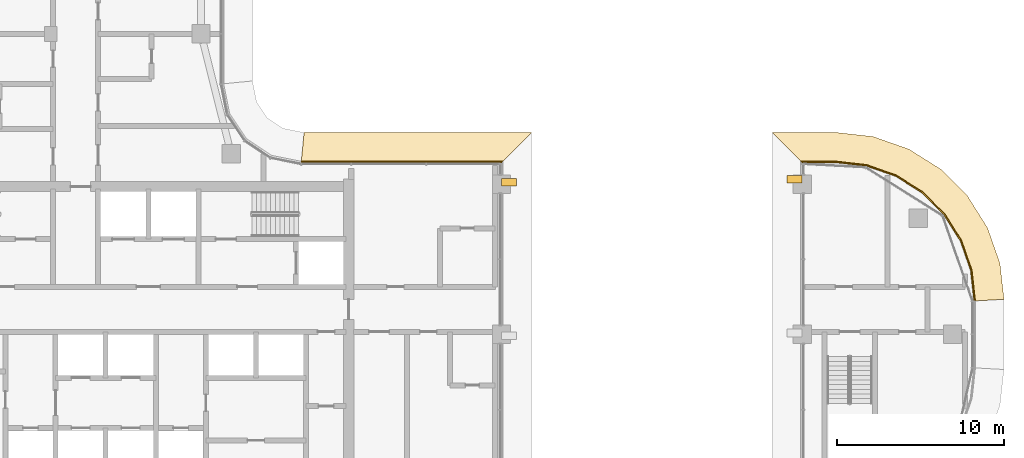
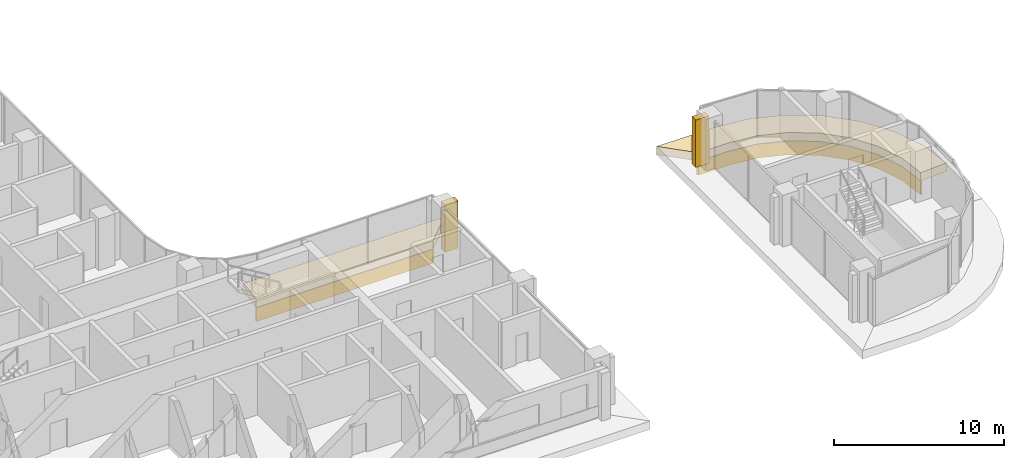
# One storey, part 25 of 27: 6 coverings.
"""IFC4 building model written with IfcOpenShell, lengths in metres."""

from ifc_helpers import new_model, si_unit, direction, frame, origin, origin_2d, place, context, subcontext, project, spatial, polyline, rectangle, outline, extrude, material, layer, layer_set, type_object, element, save


model = new_model("IFC4")

# Units and contexts
model_context = context("Model", 3, precision=1e-05, world=origin(), true_north=direction((0.0, 1.0)))
body_context = subcontext(model_context, "Body", "Model", "MODEL_VIEW")
ifc_project = project(units=[si_unit("LENGTHUNIT", "METRE"), si_unit("AREAUNIT", "SQUARE_METRE"), si_unit("VOLUMEUNIT", "CUBIC_METRE"), si_unit("PLANEANGLEUNIT", "RADIAN"), si_unit("MASSUNIT", "GRAM", prefix="KILO")], contexts=[model_context])

# Site, building, storey
site_placement = place(None, origin())
site = spatial("IfcSite", under=ifc_project, at=site_placement, CompositionType="ELEMENT")
building_placement = place(site_placement, origin())
building = spatial("IfcBuilding", under=site, at=building_placement, Name="Ogive Portal Towers", CompositionType="ELEMENT")
storey_placement = place(building_placement, frame((0.0, 0.0, 160.699951171875)))
storey = spatial("IfcBuildingStorey", under=building, at=storey_placement, Name="L39", CompositionType="ELEMENT", Elevation=160.699951171875)

# Coverings
ifc_material = material(Name="Limestone cladding on lightweight block wall", Category="masonry")
ifc_layer_1 = layer(ifc_material, 0.449951171875)
ifc_layer_set_1 = layer_set([ifc_layer_1], Name="BUTTRESS PIER STONE")
covering_type_1 = type_object("IfcCoveringType", Name="BUTTRESS PIER STONE", PredefinedType="CLADDING", material=ifc_layer_set_1)
for number, where, z_axis, x_axis, name in (
    (1, (67.949951171875, 39.625, 0.0), (0.0, 0.0, 1.0), (1.0, 0.0, 0.0), "Buttress pier A1-F06.3"),
    (2, (85.050048828125, 39.784912109375, 0.0), (0.0, 0.0, 1.0), (1.0, 0.0, 0.0), "Buttress pier A2-F01.2"),
):
    element("IfcCovering", number, at=place(storey_placement, frame(where, z_axis=z_axis, x_axis=x_axis)), inside=storey, type_object=covering_type_1, Name=name, PredefinedType="CLADDING", context=body_context, shape_type="SweptSolid", body=[
        extrude(rectangle(XDim=0.89990234375, YDim=0.449951171875, at=origin_2d()), origin(), (0.0, 0.0, 1.0), 3.39990234375),
    ])
ifc_layer_2 = layer(ifc_material, 0.080078125)
ifc_layer_set_2 = layer_set([ifc_layer_2], Name="STONE SPANDREL 80")
covering_type_2 = type_object("IfcCoveringType", Name="STONE SPANDREL 80", PredefinedType="CLADDING", material=ifc_layer_set_2)
covering_1_placement = place(storey_placement, frame((0.0, 0.0, -1.599853515625)))
element("IfcCovering", 3, at=covering_1_placement, inside=storey, type_object=covering_type_2, Name="Stone spandrel A1-F07", PredefinedType="CLADDING", context=body_context, shape_type="SweptSolid", body=[
    extrude(outline(polyline([(67.5, 40.784912109375), (55.5, 40.784912109375), (55.5078125, 40.864990234375), (67.580078125, 40.864990234375), (67.5, 40.784912109375)])), origin(), (0.0, 0.0, 1.0), 1.0),
])
covering_2_placement = place(storey_placement, frame((0.0, 0.0, -1.599853515625)))
element("IfcCovering", 4, at=covering_2_placement, inside=storey, type_object=covering_type_2, Name="Stone spandrel A2-F04", PredefinedType="CLADDING", context=body_context, shape_type="SweptSolid", body=[
    extrude(outline(polyline([(95.784912109375, 32.5), (95.577392578125, 34.343505859375), (94.964599609375, 36.0947265625), (93.9775390625, 37.66552734375), (92.66552734375, 38.9775390625), (91.0947265625, 39.964599609375), (89.343505859375, 40.577392578125), (87.5, 40.784912109375), (85.5, 40.784912109375), (85.419921875, 40.864990234375), (87.50439453125, 40.864990234375), (89.361572265625, 40.65576171875), (91.129638671875, 40.037109375), (92.7158203125, 39.04052734375), (94.04052734375, 37.7158203125), (95.037109375, 36.129638671875), (95.65576171875, 34.361572265625), (95.864990234375, 32.50439453125), (95.784912109375, 32.5)])), origin(), (0.0, 0.0, 1.0), 1.0),
])
ifc_layer_3 = layer(ifc_material, 0.60009765625)
ifc_layer_set_3 = layer_set([ifc_layer_3], Name="SUNSHADE LIP 600")
covering_type_3 = type_object("IfcCoveringType", Name="SUNSHADE LIP 600", PredefinedType="CLADDING", material=ifc_layer_set_3)
covering_3_placement = place(storey_placement, frame((0.0, 0.0, -0.599853515625)))
element("IfcCovering", 5, at=covering_3_placement, inside=storey, type_object=covering_type_3, Name="Sunshade lip A1-F07", PredefinedType="CLADDING", context=body_context, shape_type="SweptSolid", body=[
    extrude(outline(polyline([(67.5, 40.784912109375), (55.5, 40.784912109375), (55.67724609375, 42.5849609375), (69.300048828125, 42.5849609375), (67.5, 40.784912109375)])), origin(), (0.0, 0.0, 1.0), 0.599853515625),
])
covering_4_placement = place(storey_placement, frame((0.0, 0.0, -0.599853515625)))
element("IfcCovering", 6, at=covering_4_placement, inside=storey, type_object=covering_type_3, Name="Sunshade lip A2-F04", PredefinedType="CLADDING", context=body_context, shape_type="SweptSolid", body=[
    extrude(outline(polyline([(95.784912109375, 32.5), (95.577392578125, 34.343505859375), (94.964599609375, 36.0947265625), (93.9775390625, 37.66552734375), (92.66552734375, 38.9775390625), (91.0947265625, 39.964599609375), (89.343505859375, 40.577392578125), (87.5, 40.784912109375), (85.5, 40.784912109375), (83.699951171875, 42.5849609375), (87.60107421875, 42.5849609375), (89.74658203125, 42.34326171875), (91.880615234375, 41.596435546875), (93.794921875, 40.3935546875), (95.3935546875, 38.794921875), (96.596435546875, 36.880615234375), (97.34326171875, 34.74658203125), (97.5849609375, 32.60107421875), (95.784912109375, 32.5)])), origin(), (0.0, 0.0, 1.0), 0.599853515625),
])

save(model, "model.ifc")
